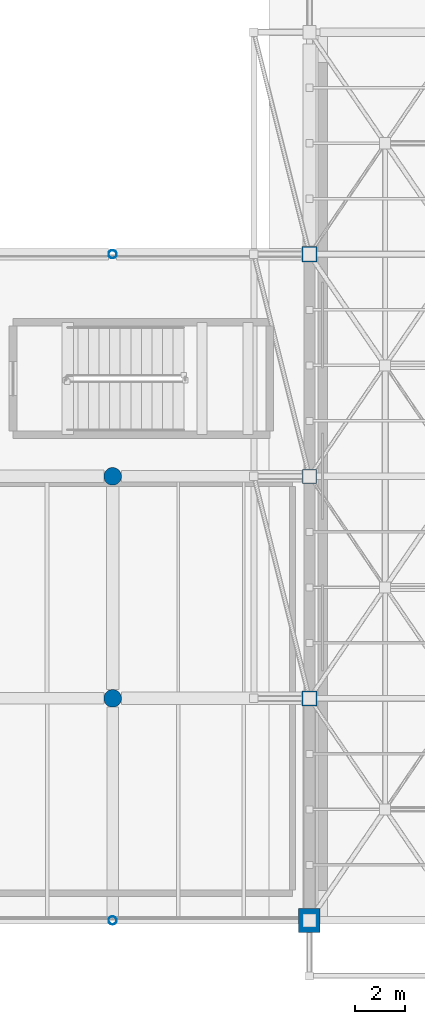
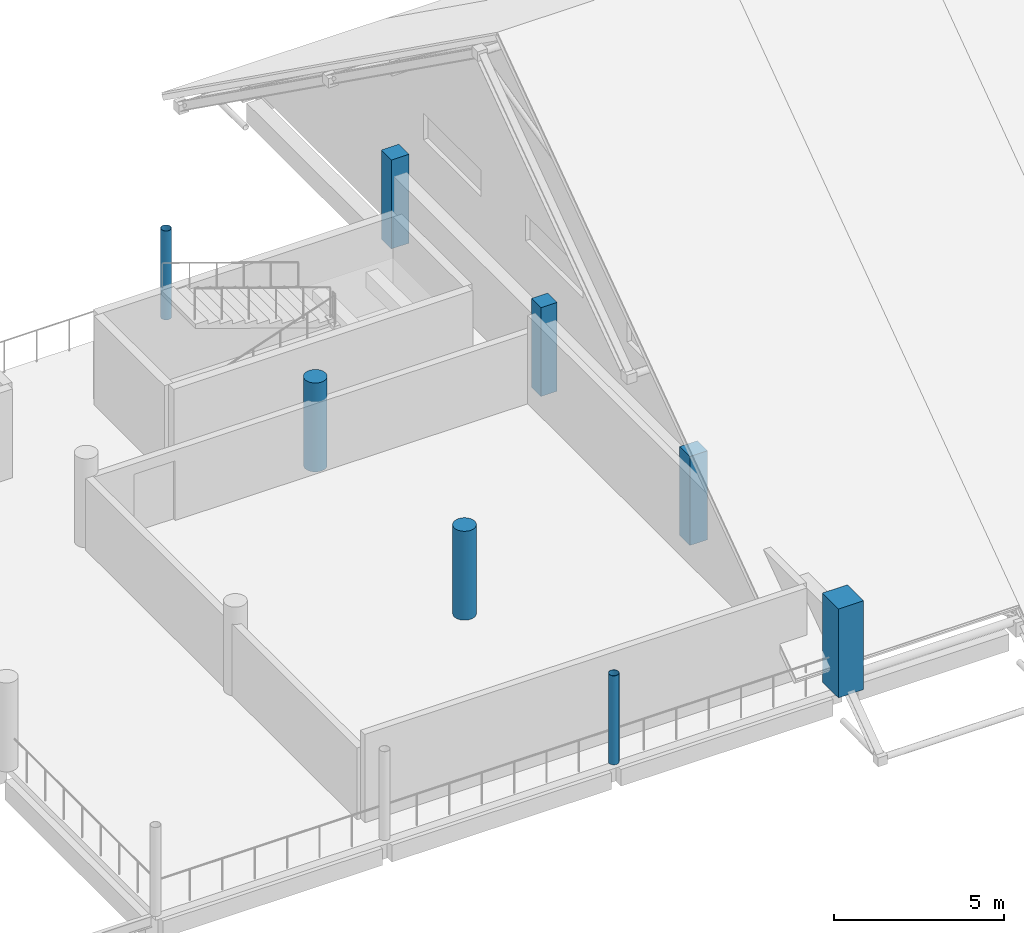
# One storey, part 5 of 55: 8 columns.
"""IFC4 building model written with IfcOpenShell, lengths in metres."""

from ifc_helpers import new_model, si_unit, direction, frame, origin, origin_2d, place, context, subcontext, project, spatial, rectangle, circle, hollow_circle, extrude, material, material_profile, profile_set, type_object, element, save


model = new_model("IFC4")

# Units and contexts
model_context = context("Model", 3, precision=1e-05, world=origin(), true_north=direction((0.0, 1.0)))
body_context = subcontext(model_context, "Body", "Model", "MODEL_VIEW")
ifc_project = project(units=[si_unit("LENGTHUNIT", "METRE"), si_unit("AREAUNIT", "SQUARE_METRE"), si_unit("VOLUMEUNIT", "CUBIC_METRE"), si_unit("PLANEANGLEUNIT", "RADIAN"), si_unit("MASSUNIT", "GRAM", prefix="KILO")], contexts=[model_context])

# Site, building, storey
site_placement = place(None, origin())
site = spatial("IfcSite", under=ifc_project, at=site_placement, CompositionType="ELEMENT")
building_placement = place(site_placement, origin())
building = spatial("IfcBuilding", under=site, at=building_placement, Name="Varnakota Cinema and Media Centre", CompositionType="ELEMENT")
storey_placement = place(building_placement, frame((0.0, 0.0, 15.60009765625)))
storey = spatial("IfcBuildingStorey", under=building, at=storey_placement, Name="L04", CompositionType="ELEMENT", Elevation=15.60009765625)

# Columns
ifc_material_1 = material(Name="Concrete M40", Category="concrete")
ifc_material_profile_1 = material_profile(ifc_material_1, rectangle(XDim=0.550048828125, YDim=0.550048828125, at=origin_2d()), Name="RC 550x550")
ifc_profile_set_1 = profile_set([ifc_material_profile_1], Name="Concrete M40")
column_type_1 = type_object("IfcColumnType", Name="COL-RC-550x550", PredefinedType="COLUMN", material=ifc_profile_set_1)
column_1_placement = place(storey_placement, frame((75.0, 17.60009765625, 0.0), z_axis=(0.0, 0.0, 1.0), x_axis=(1.0, 0.0, 0.0)))
element("IfcColumn", 1, at=column_1_placement, inside=storey, type_object=column_type_1, Name="L04 column K/3", PredefinedType="COLUMN", context=body_context, shape_type="SweptSolid", body=[
    extrude(rectangle(XDim=0.550048828125, YDim=0.550048828125, at=origin_2d()), origin(), (0.0, 0.0, 1.0), 3.199951171875),
])
ifc_material_2 = material(Name="Concrete M40", Category="concrete")
ifc_material_profile_2 = material_profile(ifc_material_2, rectangle(XDim=0.60009765625, YDim=0.60009765625, at=origin_2d()), Name="RC 600x600")
ifc_profile_set_2 = profile_set([ifc_material_profile_2], Name="Concrete M40")
column_type_2 = type_object("IfcColumnType", Name="COL-RC-600x600", PredefinedType="COLUMN", material=ifc_profile_set_2)
for number, where, z_axis, x_axis, name in (
    (2, (75.0, 8.800048828125, 0.0), (0.0, 0.0, 1.0), (1.0, 0.0, 0.0), "L04 column K/2"),
    (3, (75.0, 26.39990234375, 0.0), (0.0, 0.0, 1.0), (1.0, 0.0, 0.0), "L04 column K/4"),
):
    element("IfcColumn", number, at=place(storey_placement, frame(where, z_axis=z_axis, x_axis=x_axis)), inside=storey, type_object=column_type_2, Name=name, PredefinedType="COLUMN", context=body_context, shape_type="SweptSolid", body=[
        extrude(rectangle(XDim=0.60009765625, YDim=0.60009765625, at=origin_2d()), origin(), (0.0, 0.0, 1.0), 3.199951171875),
    ])
ifc_material_3 = material(Name="Concrete M50", Category="concrete")
ifc_material_profile_3 = material_profile(ifc_material_3, rectangle(XDim=0.85009765625, YDim=0.949951171875, at=origin_2d()), Name="RC 850x950")
ifc_profile_set_3 = profile_set([ifc_material_profile_3], Name="Concrete M50")
column_type_3 = type_object("IfcColumnType", Name="COL-RC-850x950", PredefinedType="COLUMN", material=ifc_profile_set_3)
column_2_placement = place(storey_placement, frame((75.0, 0.0, 0.0), z_axis=(0.0, 0.0, 1.0), x_axis=(1.0, 0.0, 0.0)))
element("IfcColumn", 4, at=column_2_placement, inside=storey, type_object=column_type_3, Name="L04 column K/1", PredefinedType="COLUMN", context=body_context, shape_type="SweptSolid", body=[
    extrude(rectangle(XDim=0.85009765625, YDim=0.949951171875, at=origin_2d()), origin(), (0.0, 0.0, 1.0), 3.199951171875),
])
ifc_material_4 = material(Name="Concrete M40", Category="concrete")
ifc_material_profile_4 = material_profile(ifc_material_4, circle(Radius=0.35009765625, at=origin_2d()), Name="RC D700")
ifc_profile_set_4 = profile_set([ifc_material_profile_4], Name="Concrete M40")
column_type_4 = type_object("IfcColumnType", Name="COL-RC-D700", PredefinedType="COLUMN", material=ifc_profile_set_4)
for number, where, z_axis, x_axis, name in (
    (5, (67.199951171875, 8.800048828125, 0.0), (0.0, 0.0, 1.0), (1.0, 0.0, 0.0), "L04 column J/2"),
    (6, (67.199951171875, 17.60009765625, 0.0), (0.0, 0.0, 1.0), (1.0, 0.0, 0.0), "L04 column J/3"),
):
    element("IfcColumn", number, at=place(storey_placement, frame(where, z_axis=z_axis, x_axis=x_axis)), inside=storey, type_object=column_type_4, Name=name, PredefinedType="COLUMN", context=body_context, shape_type="SweptSolid", body=[
        extrude(circle(Radius=0.35009765625, at=origin_2d()), origin(), (0.0, 0.0, 1.0), 3.199951171875),
    ])
ifc_material_5 = material(Name="Structural steel S355 (YSt 355)", Category="steel")
ifc_material_profile_5 = material_profile(ifc_material_5, hollow_circle(Radius=0.161865234375, WallThickness=0.010009765625, at=origin_2d()), Name="CHS 323.9x10.0")
ifc_profile_set_5 = profile_set([ifc_material_profile_5], Name="Structural steel S355 (YSt 355)")
column_type_5 = type_object("IfcColumnType", Name="COL-ST-CHS324", PredefinedType="COLUMN", material=ifc_profile_set_5)
for number, where, z_axis, x_axis, name in (
    (7, (67.199951171875, 0.0, 0.0), (0.0, 0.0, 1.0), (1.0, 0.0, 0.0), "L04 column J/1"),
    (8, (67.199951171875, 26.39990234375, 0.0), (0.0, 0.0, 1.0), (1.0, 0.0, 0.0), "L04 column J/4"),
):
    element("IfcColumn", number, at=place(storey_placement, frame(where, z_axis=z_axis, x_axis=x_axis)), inside=storey, type_object=column_type_5, Name=name, PredefinedType="COLUMN", context=body_context, shape_type="SweptSolid", body=[
        extrude(hollow_circle(Radius=0.161865234375, WallThickness=0.010009765625, at=origin_2d()), origin(), (0.0, 0.0, 1.0), 3.199951171875),
    ])

save(model, "model.ifc")
